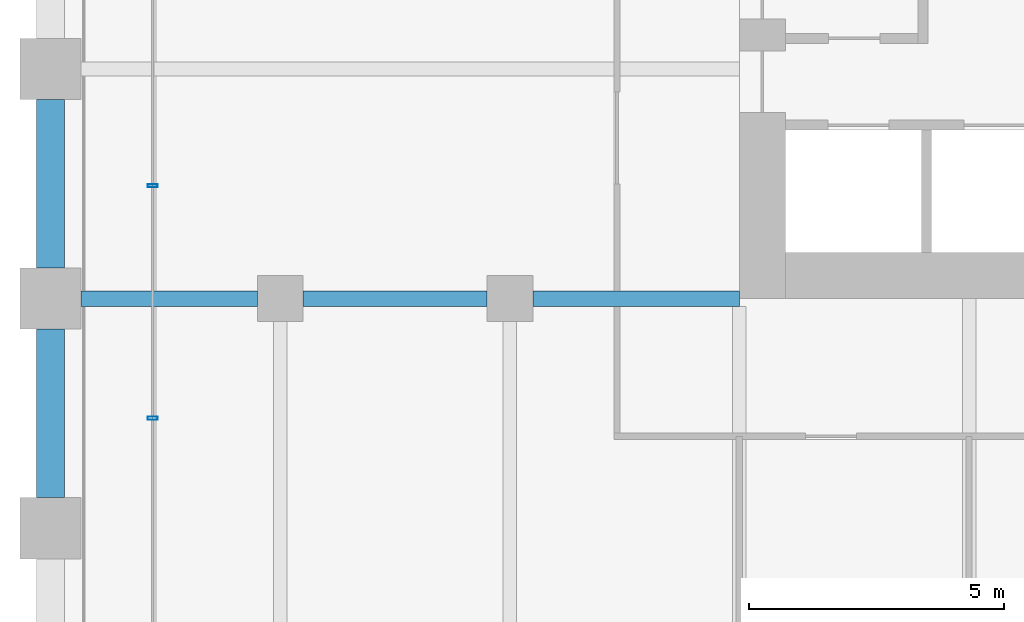
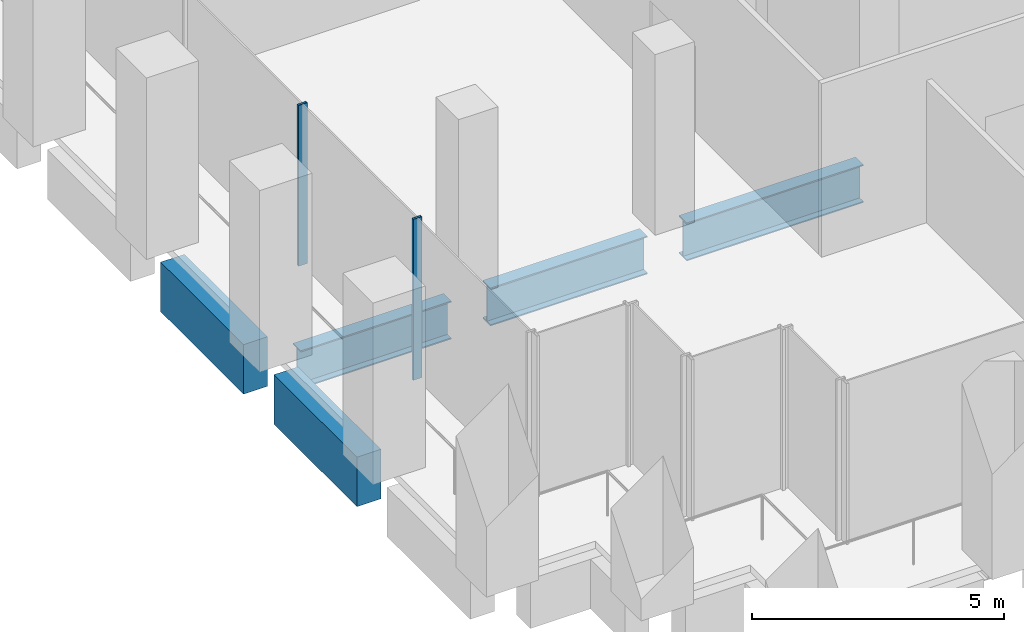
# One storey, part 4 of 36: 5 beams, 2 members, 1 element without a shape of its own.
"""IFC4 building model written with IfcOpenShell, lengths in metres."""

from ifc_helpers import new_model, si_unit, direction, frame, origin, origin_2d, place, context, subcontext, project, spatial, rectangle, hollow_rectangle, i_section, extrude, material, material_profile, profile_set, type_object, element, aggregate, save


model = new_model("IFC4")

# Units and contexts
model_context = context("Model", 3, precision=1e-05, world=origin(), true_north=direction((0.0, 1.0)))
body_context = subcontext(model_context, "Body", "Model", "MODEL_VIEW")
ifc_project = project(units=[si_unit("LENGTHUNIT", "METRE"), si_unit("AREAUNIT", "SQUARE_METRE"), si_unit("VOLUMEUNIT", "CUBIC_METRE"), si_unit("PLANEANGLEUNIT", "RADIAN"), si_unit("MASSUNIT", "GRAM", prefix="KILO")], contexts=[model_context])

# Site, building, storey
site_placement = place(None, origin())
site = spatial("IfcSite", under=ifc_project, at=site_placement, CompositionType="ELEMENT")
building_placement = place(site_placement, origin())
building = spatial("IfcBuilding", under=site, at=building_placement, Name="Altepetl Exchange Towers", CompositionType="ELEMENT")
storey_placement = place(building_placement, frame((0.0, 0.0, 34.199951171875)))
storey = spatial("IfcBuildingStorey", under=building, at=storey_placement, Name="L07", CompositionType="ELEMENT", Elevation=34.199951171875)

# Beams
ifc_material_1 = material(Name="Steel S355", Category="steel")
ifc_material_profile_1 = material_profile(ifc_material_1, i_section(OverallWidth=0.306884765625, OverallDepth=0.923095703125, WebThickness=0.018310546875, FlangeThickness=0.030029296875, at=origin_2d()), Name="W36X182")
ifc_profile_set_1 = profile_set([ifc_material_profile_1], Name="Steel S355")
beam_type_1 = type_object("IfcBeamType", Name="Girder W36X182", PredefinedType="BEAM", material=ifc_profile_set_1)
beam_1_placement = place(storey_placement, frame((40.5, 40.5, -0.636474609375), z_axis=(-1.0, 0.0, 0.0), x_axis=(0.0, -1.0, 0.0)))
element("IfcBeam", 1, at=beam_1_placement, inside=storey, type_object=beam_type_1, Name="gd:A:L07:009", PredefinedType="BEAM", context=body_context, shape_type="SweptSolid", body=[
    extrude(i_section(OverallWidth=0.306884765625, OverallDepth=0.923095703125, WebThickness=0.018310546875, FlangeThickness=0.030029296875, at=origin_2d()), origin(), (0.0, 0.0, 1.0), 4.050048828125),
])
beam_2_placement = place(storey_placement, frame((35.550048828125, 40.5, -0.636474609375), z_axis=(-1.0, 0.0, 0.0), x_axis=(0.0, -1.0, 0.0)))
element("IfcBeam", 2, at=beam_2_placement, inside=storey, type_object=beam_type_1, Name="gd:A:L07:010", PredefinedType="BEAM", context=body_context, shape_type="SweptSolid", body=[
    extrude(i_section(OverallWidth=0.306884765625, OverallDepth=0.923095703125, WebThickness=0.018310546875, FlangeThickness=0.030029296875, at=origin_2d()), origin(), (0.0, 0.0, 1.0), 3.60009765625),
])
beam_3_placement = place(storey_placement, frame((31.050048828125, 40.5, -0.636474609375), z_axis=(-1.0, 0.0, 0.0), x_axis=(0.0, -1.0, 0.0)))
element("IfcBeam", 3, at=beam_3_placement, inside=storey, type_object=beam_type_1, Name="gd:A:L07:011", PredefinedType="BEAM", context=body_context, shape_type="SweptSolid", body=[
    extrude(i_section(OverallWidth=0.306884765625, OverallDepth=0.923095703125, WebThickness=0.018310546875, FlangeThickness=0.030029296875, at=origin_2d()), origin(), (0.0, 0.0, 1.0), 3.449951171875),
])

# Curtain wall, members
ifc_material_2 = material(Name="Aluminium 6063-T6 glazing", Category="aluminium")
curtain_wall_type = type_object("IfcCurtainWallType", Name="Trading floor glazing system", PredefinedType="NOTDEFINED", material=ifc_material_2)
curtain_wall_placement = place(storey_placement, origin())
curtain_wall = element("IfcCurtainWall", 4, at=curtain_wall_placement, inside=storey, type_object=curtain_wall_type, Name="CW2 run", PredefinedType="NOTDEFINED")
ifc_material_3 = material(Name="Aluminium 6063-T6", Category="aluminium")
ifc_material_profile_2 = material_profile(ifc_material_3, hollow_rectangle(XDim=0.06005859375, YDim=0.199951171875, WallThickness=0.0029296875, at=origin_2d()), Name="Mullion 60x200 aluminium")
ifc_profile_set_2 = profile_set([ifc_material_profile_2], Name="Aluminium 6063-T6")
member_type = type_object("IfcMemberType", Name="Mullion 60x200 aluminium", PredefinedType="MULLION", material=ifc_profile_set_2)
member_1_placement = place(storey_placement, frame((29.0, 42.71435546875, 0.0), z_axis=(0.0, 0.0, 1.0), x_axis=(0.0, -1.0, 0.0)))
member_1 = element("IfcMember", 5, at=member_1_placement, type_object=member_type, Name="MU2 mullion", PredefinedType="MULLION", context=body_context, shape_type="SweptSolid", body=[
    extrude(hollow_rectangle(XDim=0.06005859375, YDim=0.199951171875, WallThickness=0.0029296875, at=origin_2d()), origin(), (0.0, 0.0, 1.0), 3.900146484375),
])
member_2_placement = place(storey_placement, frame((29.0, 38.1572265625, 0.0), z_axis=(0.0, 0.0, 1.0), x_axis=(0.0, -1.0, 0.0)))
member_2 = element("IfcMember", 6, at=member_2_placement, type_object=member_type, Name="MU2 mullion", PredefinedType="MULLION", context=body_context, shape_type="SweptSolid", body=[
    extrude(hollow_rectangle(XDim=0.06005859375, YDim=0.199951171875, WallThickness=0.0029296875, at=origin_2d()), origin(), (0.0, 0.0, 1.0), 3.900146484375),
])
aggregate(curtain_wall, [member_1, member_2])

# Beams
ifc_material_4 = material(Name="Concrete C50/60 precast with cantera blanca facing", Category="concrete")
ifc_material_profile_3 = material_profile(ifc_material_4, rectangle(XDim=0.550048828125, YDim=1.199951171875, at=origin_2d()), Name="550 x 1200")
ifc_profile_set_3 = profile_set([ifc_material_profile_3], Name="Concrete C50/60 precast with cantera blanca facing")
beam_type_2 = type_object("IfcBeamType", Name="Spandrel beam 550x1200 cantera blanca", PredefinedType="SPANDREL", material=ifc_profile_set_3)
beam_4_placement = place(storey_placement, frame((27.0, 39.89990234375, -0.77490234375), z_axis=(0.0, -1.0, 0.0), x_axis=(1.0, 0.0, 0.0)))
element("IfcBeam", 7, at=beam_4_placement, inside=storey, type_object=beam_type_2, Name="sp:A:L07:042", PredefinedType="SPANDREL", context=body_context, shape_type="SweptSolid", body=[
    extrude(rectangle(XDim=0.550048828125, YDim=1.199951171875, at=origin_2d()), origin(), (0.0, 0.0, 1.0), 3.2998046875),
])
ifc_material_5 = material(Name="Concrete C50/60 precast with tezontle facing", Category="concrete")
ifc_material_profile_4 = material_profile(ifc_material_5, rectangle(XDim=0.550048828125, YDim=1.199951171875, at=origin_2d()), Name="550 x 1200")
ifc_profile_set_4 = profile_set([ifc_material_profile_4], Name="Concrete C50/60 precast with tezontle facing")
beam_type_3 = type_object("IfcBeamType", Name="Spandrel beam 550x1200 tezontle", PredefinedType="SPANDREL", material=ifc_profile_set_4)
beam_5_placement = place(storey_placement, frame((27.0, 44.39990234375, -0.77490234375), z_axis=(0.0, -1.0, 0.0), x_axis=(1.0, 0.0, 0.0)))
element("IfcBeam", 8, at=beam_5_placement, inside=storey, type_object=beam_type_3, Name="sp:A:L07:041", PredefinedType="SPANDREL", context=body_context, shape_type="SweptSolid", body=[
    extrude(rectangle(XDim=0.550048828125, YDim=1.199951171875, at=origin_2d()), origin(), (0.0, 0.0, 1.0), 3.2998046875),
])

save(model, "model.ifc")
